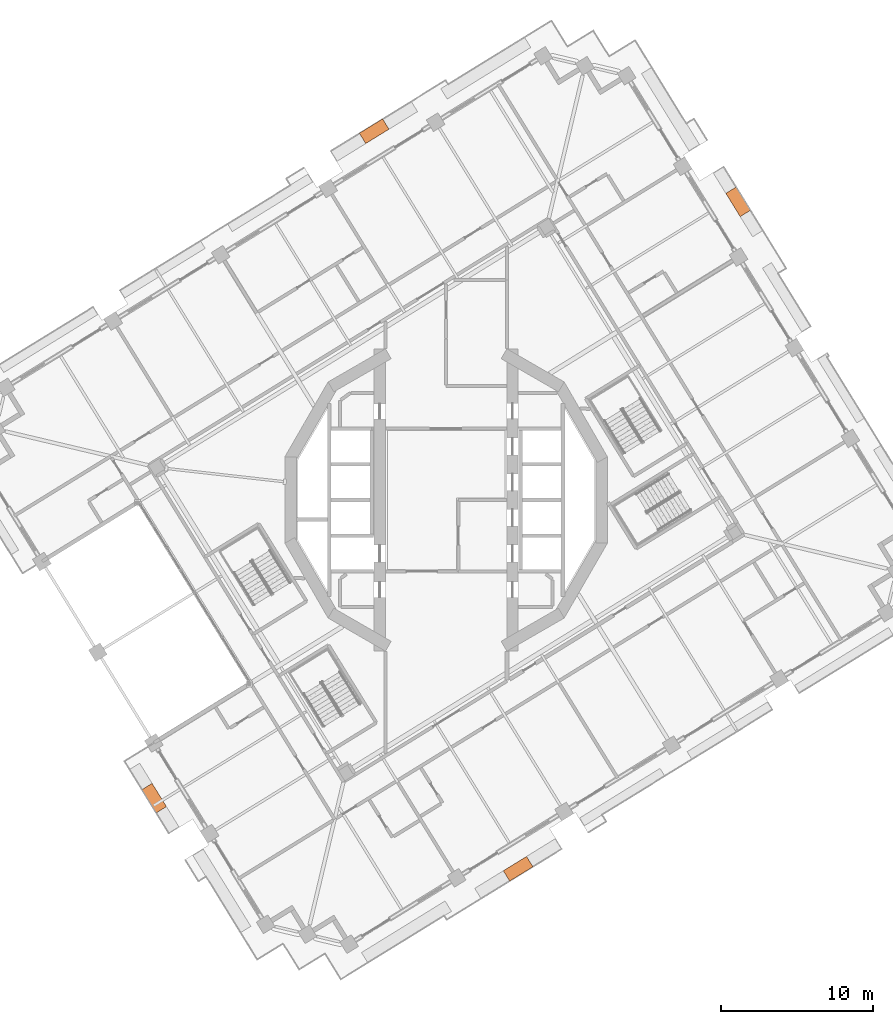
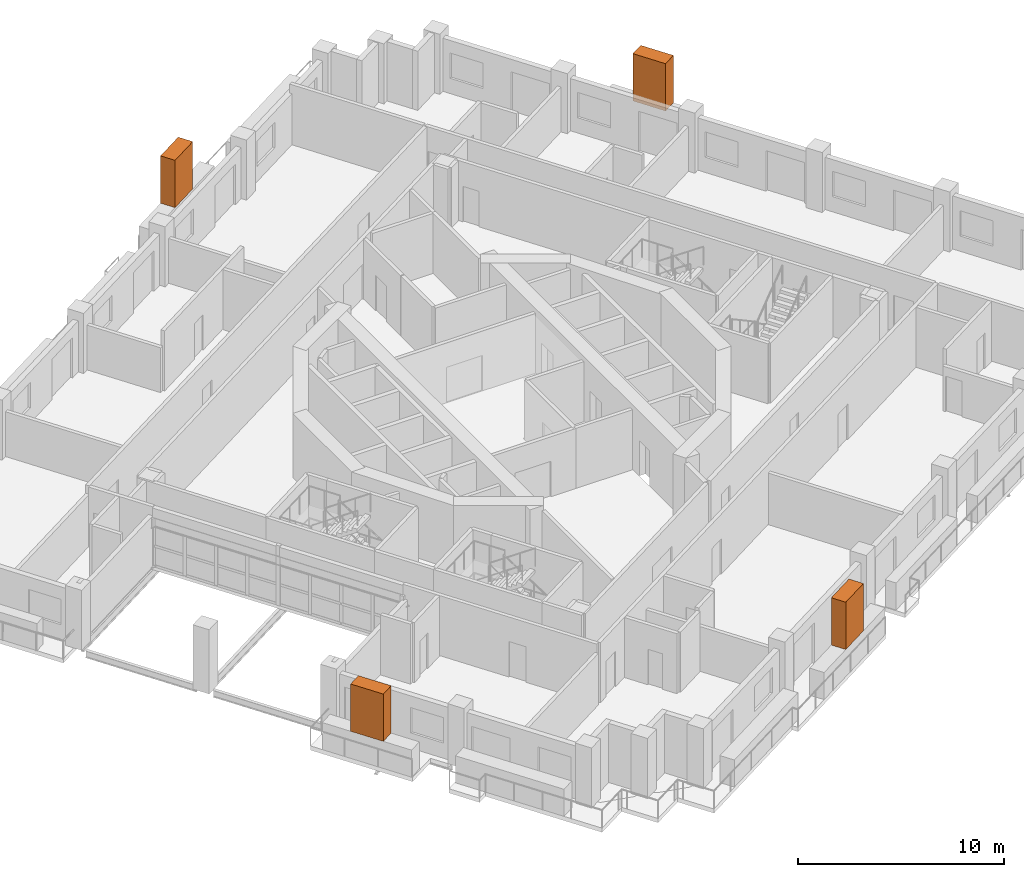
# One storey, part 20 of 20: 4 proxies.
"""IFC4 building model written with IfcOpenShell, lengths in metres."""

from ifc_helpers import new_model, si_unit, direction, frame, origin, origin_2d, place, context, subcontext, project, spatial, rectangle, extrude, element, save


model = new_model("IFC4")

# Units and contexts
model_context = context("Model", 3, precision=1e-05, world=origin(), true_north=direction((0.0, 1.0)))
body_context = subcontext(model_context, "Body", "Model", "MODEL_VIEW")
ifc_project = project(units=[si_unit("LENGTHUNIT", "METRE"), si_unit("AREAUNIT", "SQUARE_METRE"), si_unit("VOLUMEUNIT", "CUBIC_METRE"), si_unit("PLANEANGLEUNIT", "RADIAN"), si_unit("MASSUNIT", "GRAM", prefix="KILO")], contexts=[model_context])

# Site, building, storey
site_placement = place(None, origin())
site = spatial("IfcSite", under=ifc_project, at=site_placement, CompositionType="ELEMENT")
building_placement = place(site_placement, origin())
building = spatial("IfcBuilding", under=site, at=building_placement, Name="Cantera Rosa Tower", CompositionType="ELEMENT")
storey_placement = place(building_placement, frame((0.0, 0.0, 151.39990234375)))
storey = spatial("IfcBuildingStorey", under=building, at=storey_placement, Name="L32", CompositionType="ELEMENT", Elevation=151.39990234375)

# Proxies
for number, where, z_axis, x_axis, name in (
    (1, (19.24267578125, 19.64697265625, 1.60009765625), (0.0, 0.0, 1.0), (-0.52497658034, 0.851116672434, 0.0), "TREE L32-04"),
    (2, (-4.7421875, 24.29833984375, 1.60009765625), (0.0, 0.0, 1.0), (-0.851116672434, -0.52497658034, 0.0), "TREE L32-07"),
    (3, (-19.24267578125, -19.64697265625, 1.60009765625), (0.0, 0.0, 1.0), (0.52497658034, -0.851116672434, 0.0), "TREE L32-14"),
    (4, (4.7421875, -24.29833984375, 1.60009765625), (0.0, 0.0, 1.0), (0.851116672434, 0.52497658034, 0.0), "TREE L32-17"),
):
    element("IfcBuildingElementProxy", number, at=place(storey_placement, frame(where, z_axis=z_axis, x_axis=x_axis)), inside=storey, Name=name, ObjectType="TREE", PredefinedType="USERDEFINED", context=body_context, shape_type="SweptSolid", body=[
        extrude(rectangle(XDim=1.800048828125, YDim=0.800048828125, at=origin_2d()), origin(), (0.0, 0.0, 1.0), 2.800048828125),
    ])

save(model, "model.ifc")
